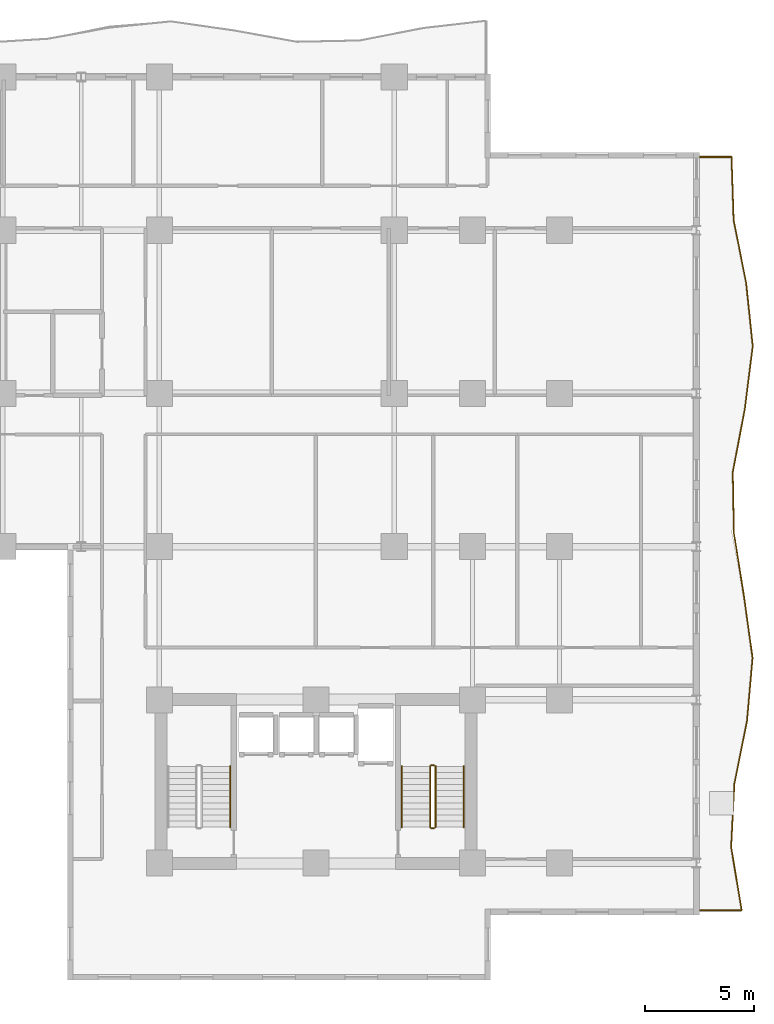
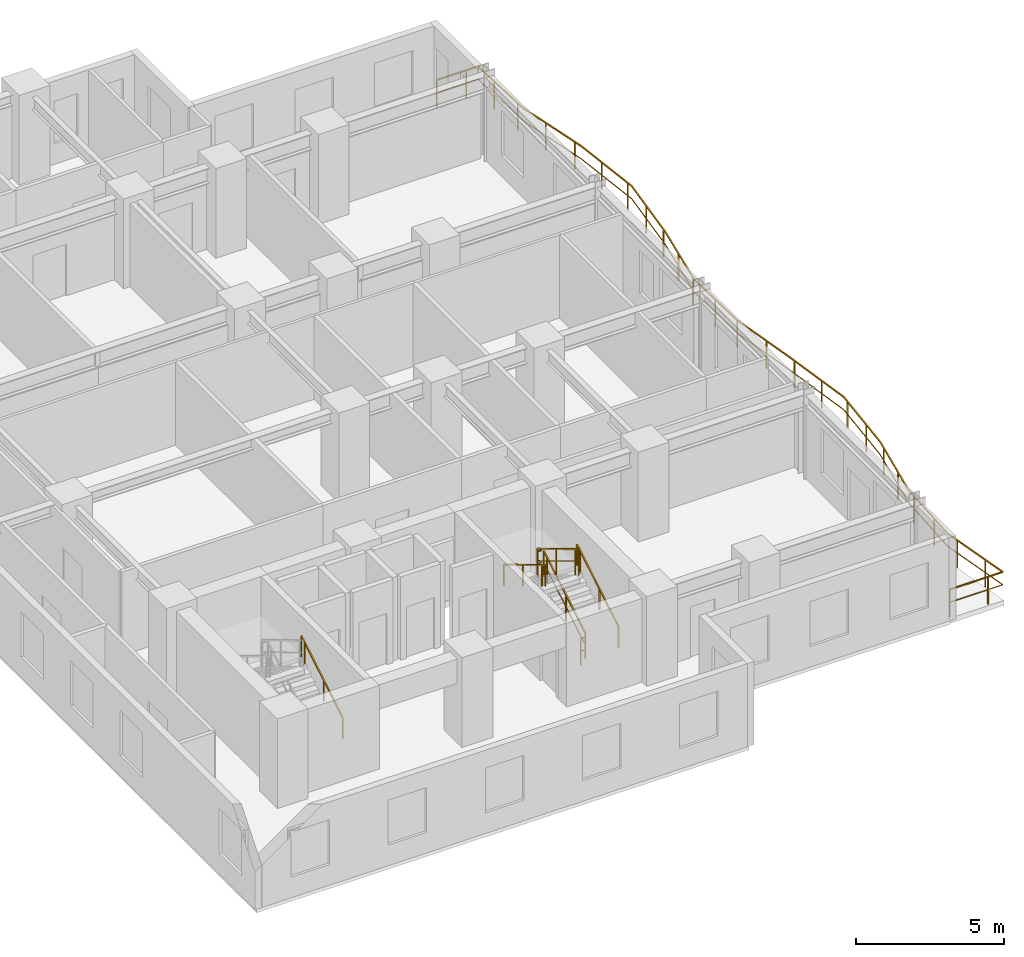
# One storey, part 10 of 11: 8 railings.
"""IFC4 building model written with IfcOpenShell, lengths in metres."""

from ifc_helpers import new_model, si_unit, direction, frame, origin, origin_2d, place, context, subcontext, project, spatial, rectangle, extrude, material, type_object, element, save


model = new_model("IFC4")

# Units and contexts
model_context = context("Model", 3, precision=1e-05, world=origin(), true_north=direction((0.0, 1.0)))
body_context = subcontext(model_context, "Body", "Model", "MODEL_VIEW")
ifc_project = project(units=[si_unit("LENGTHUNIT", "METRE"), si_unit("AREAUNIT", "SQUARE_METRE"), si_unit("VOLUMEUNIT", "CUBIC_METRE"), si_unit("PLANEANGLEUNIT", "RADIAN"), si_unit("MASSUNIT", "GRAM", prefix="KILO")], contexts=[model_context])

# Site, building, storey
site_placement = place(None, origin())
site = spatial("IfcSite", under=ifc_project, at=site_placement, CompositionType="ELEMENT")
building_placement = place(site_placement, origin())
building = spatial("IfcBuilding", under=site, at=building_placement, Name="Kaliganga Portal Commons", CompositionType="ELEMENT")
storey_placement = place(building_placement, frame((0.0, 0.0, 115.60009765625)))
storey = spatial("IfcBuildingStorey", under=building, at=storey_placement, Name="L29", CompositionType="ELEMENT", Elevation=115.60009765625)

# Railings
ifc_material_1 = material(Name="Laminated Safety Glass and Stainless Steel 316", Category="steel")
railing_type_1 = type_object("IfcRailingType", Name="RLG-BAL-1150", PredefinedType="BALUSTRADE", material=ifc_material_1)
railing_1_placement = place(storey_placement, frame((60.7080078125, 4.879638671875, 0.0)))
element("IfcRailing", 1, at=railing_1_placement, inside=storey, type_object=railing_type_1, Name="Balcony Guardrail L29 balc_east", PredefinedType="BALUSTRADE", context=body_context, shape_type="SweptSolid", body=[
    extrude(rectangle(XDim=0.048095703125, YDim=0.048095703125, at=origin_2d()), frame((0.0, 0.0, 1.1259765625), z_axis=(0.999999993065, 0.000117771758, 0.0), x_axis=(-0.000117771758, 0.999999993065, 0.0)), (0.0, 0.0, 1.0), 2.072998046875),
    extrude(rectangle(XDim=0.028076171875, YDim=0.028076171875, at=origin_2d()), frame((0.0, 0.0, 0.597900390625), z_axis=(0.999999993065, 0.000117771758, 0.0), x_axis=(-0.000117771758, 0.999999993065, 0.0)), (0.0, 0.0, 1.0), 2.072998046875),
    extrude(rectangle(XDim=0.048095703125, YDim=0.048095703125, at=origin_2d()), frame((2.072998046875, 0.000244140625, 1.1259765625), z_axis=(-0.164250862083, 0.986418599939, 0.0), x_axis=(-0.986418599939, -0.164250862083, 0.0)), (0.0, 0.0, 1.0), 2.940185546875),
    extrude(rectangle(XDim=0.028076171875, YDim=0.028076171875, at=origin_2d()), frame((2.072998046875, 0.000244140625, 0.597900390625), z_axis=(-0.164250862083, 0.986418599939, 0.0), x_axis=(-0.986418599939, -0.164250862083, 0.0)), (0.0, 0.0, 1.0), 2.940185546875),
    extrude(rectangle(XDim=0.048095703125, YDim=0.048095703125, at=origin_2d()), frame((1.590087890625, 2.900390625, 1.1259765625), z_axis=(0.050281493622, 0.998735085695, 0.0), x_axis=(-0.998735085695, 0.050281493622, 0.0)), (0.0, 0.0, 1.0), 2.903564453125),
    extrude(rectangle(XDim=0.028076171875, YDim=0.028076171875, at=origin_2d()), frame((1.590087890625, 2.900390625, 0.597900390625), z_axis=(0.050281493622, 0.998735085695, 0.0), x_axis=(-0.998735085695, 0.050281493622, 0.0)), (0.0, 0.0, 1.0), 2.903564453125),
    extrude(rectangle(XDim=0.048095703125, YDim=0.048095703125, at=origin_2d()), frame((1.736083984375, 5.80029296875, 1.1259765625), z_axis=(0.196862129019, 0.980431181755, 0.0), x_axis=(-0.980431181755, 0.196862129019, 0.0)), (0.0, 0.0, 1.0), 2.957763671875),
    extrude(rectangle(XDim=0.028076171875, YDim=0.028076171875, at=origin_2d()), frame((1.736083984375, 5.80029296875, 0.597900390625), z_axis=(0.196862129019, 0.980431181755, 0.0), x_axis=(-0.980431181755, 0.196862129019, 0.0)), (0.0, 0.0, 1.0), 2.957763671875),
    extrude(rectangle(XDim=0.048095703125, YDim=0.048095703125, at=origin_2d()), frame((2.318359375, 8.7001953125, 1.1259765625), z_axis=(0.08815328178, 0.996106921425, 0.0), x_axis=(-0.996106921425, 0.08815328178, 0.0)), (0.0, 0.0, 1.0), 2.91064453125),
    extrude(rectangle(XDim=0.028076171875, YDim=0.028076171875, at=origin_2d()), frame((2.318359375, 8.7001953125, 0.597900390625), z_axis=(0.08815328178, 0.996106921425, 0.0), x_axis=(-0.996106921425, 0.08815328178, 0.0)), (0.0, 0.0, 1.0), 2.91064453125),
    extrude(rectangle(XDim=0.048095703125, YDim=0.048095703125, at=origin_2d()), frame((2.574951171875, 11.599609375, 1.1259765625), z_axis=(-0.138245485222, 0.990397993645, 0.0), x_axis=(-0.990397993645, -0.138245485222, 0.0)), (0.0, 0.0, 1.0), 2.927978515625),
    extrude(rectangle(XDim=0.028076171875, YDim=0.028076171875, at=origin_2d()), frame((2.574951171875, 11.599609375, 0.597900390625), z_axis=(-0.138245485222, 0.990397993645, 0.0), x_axis=(-0.990397993645, -0.138245485222, 0.0)), (0.0, 0.0, 1.0), 2.927978515625),
    extrude(rectangle(XDim=0.048095703125, YDim=0.048095703125, at=origin_2d()), frame((2.170166015625, 14.49951171875, 1.1259765625), z_axis=(-0.158520410639, 0.987355700551, 0.0), x_axis=(-0.987355700551, -0.158520410639, 0.0)), (0.0, 0.0, 1.0), 2.85693359375),
    extrude(rectangle(XDim=0.028076171875, YDim=0.028076171875, at=origin_2d()), frame((2.170166015625, 14.49951171875, 0.597900390625), z_axis=(-0.158520410639, 0.987355700551, 0.0), x_axis=(-0.987355700551, -0.158520410639, 0.0)), (0.0, 0.0, 1.0), 2.85693359375),
    extrude(rectangle(XDim=0.048095703125, YDim=0.048095703125, at=origin_2d()), frame((1.71728515625, 17.3203125, 1.1259765625), z_axis=(-0.018782938097, 0.999823585057, 0.0), x_axis=(-0.999823585057, -0.018782938097, 0.0)), (0.0, 0.0, 1.0), 2.820556640625),
    extrude(rectangle(XDim=0.028076171875, YDim=0.028076171875, at=origin_2d()), frame((1.71728515625, 17.3203125, 0.597900390625), z_axis=(-0.018782938097, 0.999823585057, 0.0), x_axis=(-0.999823585057, -0.018782938097, 0.0)), (0.0, 0.0, 1.0), 2.820556640625),
    extrude(rectangle(XDim=0.048095703125, YDim=0.048095703125, at=origin_2d()), frame((1.664306640625, 20.140380859375, 1.1259765625), z_axis=(0.18728308531, 0.982305983875, 0.0), x_axis=(-0.982305983875, 0.18728308531, 0.0)), (0.0, 0.0, 1.0), 2.95263671875),
    extrude(rectangle(XDim=0.028076171875, YDim=0.028076171875, at=origin_2d()), frame((1.664306640625, 20.140380859375, 0.597900390625), z_axis=(0.18728308531, 0.982305983875, 0.0), x_axis=(-0.982305983875, 0.18728308531, 0.0)), (0.0, 0.0, 1.0), 2.95263671875),
    extrude(rectangle(XDim=0.048095703125, YDim=0.048095703125, at=origin_2d()), frame((2.21728515625, 23.040771484375, 1.1259765625), z_axis=(0.125206592581, 0.99213069158, 0.0), x_axis=(-0.99213069158, 0.125206592581, 0.0)), (0.0, 0.0, 1.0), 2.9228515625),
    extrude(rectangle(XDim=0.028076171875, YDim=0.028076171875, at=origin_2d()), frame((2.21728515625, 23.040771484375, 0.597900390625), z_axis=(0.125206592581, 0.99213069158, 0.0), x_axis=(-0.99213069158, 0.125206592581, 0.0)), (0.0, 0.0, 1.0), 2.9228515625),
    extrude(rectangle(XDim=0.048095703125, YDim=0.048095703125, at=origin_2d()), frame((2.583251953125, 25.940673828125, 1.1259765625), z_axis=(-0.103581923276, 0.994620925363, 0.0), x_axis=(-0.994620925363, -0.103581923276, 0.0)), (0.0, 0.0, 1.0), 2.91552734375),
    extrude(rectangle(XDim=0.028076171875, YDim=0.028076171875, at=origin_2d()), frame((2.583251953125, 25.940673828125, 0.597900390625), z_axis=(-0.103581923276, 0.994620925363, 0.0), x_axis=(-0.994620925363, -0.103581923276, 0.0)), (0.0, 0.0, 1.0), 2.91552734375),
    extrude(rectangle(XDim=0.048095703125, YDim=0.048095703125, at=origin_2d()), frame((2.28125, 28.840576171875, 1.1259765625), z_axis=(-0.195036222129, 0.980796039989, 0.0), x_axis=(-0.980796039989, -0.195036222129, 0.0)), (0.0, 0.0, 1.0), 2.956787109375),
    extrude(rectangle(XDim=0.028076171875, YDim=0.028076171875, at=origin_2d()), frame((2.28125, 28.840576171875, 0.597900390625), z_axis=(-0.195036222129, 0.980796039989, 0.0), x_axis=(-0.980796039989, -0.195036222129, 0.0)), (0.0, 0.0, 1.0), 2.956787109375),
    extrude(rectangle(XDim=0.048095703125, YDim=0.048095703125, at=origin_2d()), frame((1.70458984375, 31.740478515625, 1.1259765625), z_axis=(-0.033740670081, 0.999430621495, 0.0), x_axis=(-0.999430621495, -0.033740670081, 0.0)), (0.0, 0.0, 1.0), 2.901611328125),
    extrude(rectangle(XDim=0.028076171875, YDim=0.028076171875, at=origin_2d()), frame((1.70458984375, 31.740478515625, 0.597900390625), z_axis=(-0.033740670081, 0.999430621495, 0.0), x_axis=(-0.999430621495, -0.033740670081, 0.0)), (0.0, 0.0, 1.0), 2.901611328125),
    extrude(rectangle(XDim=0.048095703125, YDim=0.048095703125, at=origin_2d()), frame((1.606689453125, 34.640380859375, 1.1259765625), z_axis=(-0.999999953821, 0.000303905168, 0.0), x_axis=(-0.000303905168, -0.999999953821, 0.0)), (0.0, 0.0, 1.0), 1.606689453125),
    extrude(rectangle(XDim=0.028076171875, YDim=0.028076171875, at=origin_2d()), frame((1.606689453125, 34.640380859375, 0.597900390625), z_axis=(-0.999999953821, 0.000303905168, 0.0), x_axis=(-0.000303905168, -0.999999953821, 0.0)), (0.0, 0.0, 1.0), 1.606689453125),
    extrude(rectangle(XDim=0.0419921875, YDim=0.0419921875, at=origin_2d()), origin(), (0.0, 0.0, 1.0), 1.101806640625),
    extrude(rectangle(XDim=0.0419921875, YDim=0.0419921875, at=origin_2d()), frame((1.5, 0.000244140625, 0.0)), (0.0, 0.0, 1.0), 1.101806640625),
    extrude(rectangle(XDim=0.0419921875, YDim=0.0419921875, at=origin_2d()), frame((1.920654296875, 0.91455078125, 0.0)), (0.0, 0.0, 1.0), 1.101806640625),
    extrude(rectangle(XDim=0.0419921875, YDim=0.0419921875, at=origin_2d()), frame((1.67431640625, 2.394287109375, 0.0)), (0.0, 0.0, 1.0), 1.101806640625),
    extrude(rectangle(XDim=0.0419921875, YDim=0.0419921875, at=origin_2d()), frame((1.6396484375, 3.885986328125, 0.0)), (0.0, 0.0, 1.0), 1.101806640625),
    extrude(rectangle(XDim=0.0419921875, YDim=0.0419921875, at=origin_2d()), frame((1.715087890625, 5.38427734375, 0.0)), (0.0, 0.0, 1.0), 1.101806640625),
    extrude(rectangle(XDim=0.0419921875, YDim=0.0419921875, at=origin_2d()), frame((1.949462890625, 6.862548828125, 0.0)), (0.0, 0.0, 1.0), 1.101806640625),
    extrude(rectangle(XDim=0.0419921875, YDim=0.0419921875, at=origin_2d()), frame((2.24462890625, 8.3330078125, 0.0)), (0.0, 0.0, 1.0), 1.101806640625),
    extrude(rectangle(XDim=0.0419921875, YDim=0.0419921875, at=origin_2d()), frame((2.41748046875, 9.8212890625, 0.0)), (0.0, 0.0, 1.0), 1.101806640625),
    extrude(rectangle(XDim=0.0419921875, YDim=0.0419921875, at=origin_2d()), frame((2.5498046875, 11.3154296875, 0.0)), (0.0, 0.0, 1.0), 1.101806640625),
    extrude(rectangle(XDim=0.0419921875, YDim=0.0419921875, at=origin_2d()), frame((2.406982421875, 12.802734375, 0.0)), (0.0, 0.0, 1.0), 1.101806640625),
    extrude(rectangle(XDim=0.0419921875, YDim=0.0419921875, at=origin_2d()), frame((2.19970703125, 14.288330078125, 0.0)), (0.0, 0.0, 1.0), 1.101806640625),
    extrude(rectangle(XDim=0.0419921875, YDim=0.0419921875, at=origin_2d()), frame((1.966064453125, 15.77001953125, 0.0)), (0.0, 0.0, 1.0), 1.101806640625),
    extrude(rectangle(XDim=0.0419921875, YDim=0.0419921875, at=origin_2d()), frame((1.71728515625, 17.3203125, 0.0)), (0.0, 0.0, 1.0), 1.101806640625),
    extrude(rectangle(XDim=0.0419921875, YDim=0.0419921875, at=origin_2d()), frame((1.6904296875, 18.75, 0.0)), (0.0, 0.0, 1.0), 1.101806640625),
    extrude(rectangle(XDim=0.0419921875, YDim=0.0419921875, at=origin_2d()), frame((1.684814453125, 20.247802734375, 0.0)), (0.0, 0.0, 1.0), 1.101806640625),
    extrude(rectangle(XDim=0.0419921875, YDim=0.0419921875, at=origin_2d()), frame((1.9658203125, 21.72119140625, 0.0)), (0.0, 0.0, 1.0), 1.101806640625),
    extrude(rectangle(XDim=0.0419921875, YDim=0.0419921875, at=origin_2d()), frame((2.23681640625, 23.1962890625, 0.0)), (0.0, 0.0, 1.0), 1.101806640625),
    extrude(rectangle(XDim=0.0419921875, YDim=0.0419921875, at=origin_2d()), frame((2.4248046875, 24.684326171875, 0.0)), (0.0, 0.0, 1.0), 1.101806640625),
    extrude(rectangle(XDim=0.0419921875, YDim=0.0419921875, at=origin_2d()), frame((2.55908203125, 26.173095703125, 0.0)), (0.0, 0.0, 1.0), 1.101806640625),
    extrude(rectangle(XDim=0.0419921875, YDim=0.0419921875, at=origin_2d()), frame((2.403564453125, 27.6650390625, 0.0)), (0.0, 0.0, 1.0), 1.101806640625),
    extrude(rectangle(XDim=0.0419921875, YDim=0.0419921875, at=origin_2d()), frame((2.21923828125, 29.152587890625, 0.0)), (0.0, 0.0, 1.0), 1.101806640625),
    extrude(rectangle(XDim=0.0419921875, YDim=0.0419921875, at=origin_2d()), frame((1.9267578125, 30.623779296875, 0.0)), (0.0, 0.0, 1.0), 1.101806640625),
    extrude(rectangle(XDim=0.0419921875, YDim=0.0419921875, at=origin_2d()), frame((1.6923828125, 32.101806640625, 0.0)), (0.0, 0.0, 1.0), 1.101806640625),
    extrude(rectangle(XDim=0.0419921875, YDim=0.0419921875, at=origin_2d()), frame((1.641845703125, 33.600830078125, 0.0)), (0.0, 0.0, 1.0), 1.101806640625),
    extrude(rectangle(XDim=0.0419921875, YDim=0.0419921875, at=origin_2d()), frame((1.146728515625, 34.640625, 0.0)), (0.0, 0.0, 1.0), 1.101806640625),
    extrude(rectangle(XDim=0.0419921875, YDim=0.0419921875, at=origin_2d()), frame((0.0, 34.640869140625, 0.0)), (0.0, 0.0, 1.0), 1.101806640625),
])
ifc_material_2 = material(Name="Galvanized Painted Steel Balustrade", Category="steel")
railing_type_2 = type_object("IfcRailingType", Name="RLG-STAIR-GRD", PredefinedType="GUARDRAIL", material=ifc_material_2)
railing_2_placement = place(storey_placement, frame((48.699951171875, 8.699951171875, 0.16796875)))
element("IfcRailing", 2, at=railing_2_placement, inside=storey, type_object=railing_type_2, Name="L29 ST-B2 stair guard 1", PredefinedType="GUARDRAIL", context=body_context, shape_type="SweptSolid", body=[
    extrude(rectangle(XDim=0.048095703125, YDim=0.048095703125, at=origin_2d()), frame((0.0, 0.0, 1.072021484375), z_axis=(0.0, 0.857242210791, 0.514913383045), x_axis=(-1.0, 0.0, 0.0)), (0.0, 0.0, 1.0), 3.266357421875),
    extrude(rectangle(XDim=0.028076171875, YDim=0.028076171875, at=origin_2d()), frame((0.0, 0.0, 0.572021484375), z_axis=(0.0, 0.857242210791, 0.514913383045), x_axis=(-1.0, 0.0, 0.0)), (0.0, 0.0, 1.0), 3.266357421875),
    extrude(rectangle(XDim=0.0419921875, YDim=0.0419921875, at=origin_2d()), origin(), (0.0, 0.0, 1.0), 1.052001953125),
    extrude(rectangle(XDim=0.0419921875, YDim=0.0419921875, at=origin_2d()), frame((0.0, 1.285888671875, 0.7724609375)), (0.0, 0.0, 1.0), 1.052001953125),
    extrude(rectangle(XDim=0.0419921875, YDim=0.0419921875, at=origin_2d()), frame((0.0, 2.57177734375, 1.544677734375)), (0.0, 0.0, 1.0), 1.052001953125),
    extrude(rectangle(XDim=0.0419921875, YDim=0.0419921875, at=origin_2d()), frame((0.0, 2.800048828125, 1.681884765625)), (0.0, 0.0, 1.0), 1.052001953125),
])
railing_3_placement = place(storey_placement, frame((48.64990234375, 11.550048828125, 1.849853515625)))
element("IfcRailing", 3, at=railing_3_placement, inside=storey, type_object=railing_type_2, Name="L29 ST-B2 stair guard 2", PredefinedType="GUARDRAIL", context=body_context, shape_type="SweptSolid", body=[
    extrude(rectangle(XDim=0.048095703125, YDim=0.048095703125, at=origin_2d()), frame((0.0, 0.0, 1.076171875), z_axis=(-1.0, 0.0, 0.0), x_axis=(0.0, -1.0, 0.0)), (0.0, 0.0, 1.0), 0.14990234375),
    extrude(rectangle(XDim=0.028076171875, YDim=0.028076171875, at=origin_2d()), frame((0.0, 0.0, 0.572021484375), z_axis=(-1.0, 0.0, 0.0), x_axis=(0.0, -1.0, 0.0)), (0.0, 0.0, 1.0), 0.14990234375),
    extrude(rectangle(XDim=0.0419921875, YDim=0.0419921875, at=origin_2d()), frame((-0.14990234375, 0.0, 0.0)), (0.0, 0.0, 1.0), 1.052001953125),
])
railing_4_placement = place(storey_placement, frame((48.449951171875, 11.5, 2.01806640625)))
element("IfcRailing", 4, at=railing_4_placement, inside=storey, type_object=railing_type_2, Name="L29 ST-B2 stair guard 3", PredefinedType="GUARDRAIL", context=body_context, shape_type="SweptSolid", body=[
    extrude(rectangle(XDim=0.048095703125, YDim=0.048095703125, at=origin_2d()), frame((0.0, 0.0, 1.072021484375), z_axis=(0.0, -0.857242210791, 0.514913383045), x_axis=(1.0, 0.0, 0.0)), (0.0, 0.0, 1.0), 3.266357421875),
    extrude(rectangle(XDim=0.028076171875, YDim=0.028076171875, at=origin_2d()), frame((0.0, 0.0, 0.572021484375), z_axis=(0.0, -0.857242210791, 0.514913383045), x_axis=(1.0, 0.0, 0.0)), (0.0, 0.0, 1.0), 3.266357421875),
    extrude(rectangle(XDim=0.0419921875, YDim=0.0419921875, at=origin_2d()), origin(), (0.0, 0.0, 1.0), 1.052001953125),
    extrude(rectangle(XDim=0.0419921875, YDim=0.0419921875, at=origin_2d()), frame((0.0, -1.285888671875, 0.7724609375)), (0.0, 0.0, 1.0), 1.052001953125),
    extrude(rectangle(XDim=0.0419921875, YDim=0.0419921875, at=origin_2d()), frame((0.0, -2.57177734375, 1.544677734375)), (0.0, 0.0, 1.0), 1.052001953125),
    extrude(rectangle(XDim=0.0419921875, YDim=0.0419921875, at=origin_2d()), frame((0.0, -2.800048828125, 1.681884765625)), (0.0, 0.0, 1.0), 1.052001953125),
])
railing_5_placement = place(storey_placement, frame((48.64990234375, 8.64990234375, 0.0)))
element("IfcRailing", 5, at=railing_5_placement, inside=storey, type_object=railing_type_2, Name="L29 ST-B2 stair guard 4", PredefinedType="GUARDRAIL", context=body_context, shape_type="SweptSolid", body=[
    extrude(rectangle(XDim=0.048095703125, YDim=0.048095703125, at=origin_2d()), frame((0.0, 0.0, 1.076171875), z_axis=(-1.0, 0.0, 0.0), x_axis=(0.0, -1.0, 0.0)), (0.0, 0.0, 1.0), 0.14990234375),
    extrude(rectangle(XDim=0.028076171875, YDim=0.028076171875, at=origin_2d()), frame((0.0, 0.0, 0.572021484375), z_axis=(-1.0, 0.0, 0.0), x_axis=(0.0, -1.0, 0.0)), (0.0, 0.0, 1.0), 0.14990234375),
    extrude(rectangle(XDim=0.0419921875, YDim=0.0419921875, at=origin_2d()), frame((-0.14990234375, 0.0, 0.0)), (0.0, 0.0, 1.0), 1.052001953125),
])
ifc_material_3 = material(Name="Brushed Stainless Steel 316", Category="steel")
railing_type_3 = type_object("IfcRailingType", Name="RLG-STAIR-HR", PredefinedType="HANDRAIL", material=ifc_material_3)
for number, where, name in (
    (6, (39.25, 8.699951171875, 0.16796875), "L29 ST-B1 stair handrail 1"),
    (7, (50.0, 8.699951171875, 0.16796875), "L29 ST-B2 stair handrail 1"),
):
    element("IfcRailing", number, at=place(storey_placement, frame(where)), inside=storey, type_object=railing_type_3, Name=name, PredefinedType="HANDRAIL", context=body_context, shape_type="SweptSolid", body=[
        extrude(rectangle(XDim=0.048095703125, YDim=0.048095703125, at=origin_2d()), frame((0.0, 0.0, 0.871826171875), z_axis=(0.0, 0.857242210791, 0.514913383045), x_axis=(-1.0, 0.0, 0.0)), (0.0, 0.0, 1.0), 3.266357421875),
        extrude(rectangle(XDim=0.0419921875, YDim=0.0419921875, at=origin_2d()), origin(), (0.0, 0.0, 1.0), 0.851806640625),
        extrude(rectangle(XDim=0.0419921875, YDim=0.0419921875, at=origin_2d()), frame((0.0, 1.285888671875, 0.7724609375)), (0.0, 0.0, 1.0), 0.851806640625),
        extrude(rectangle(XDim=0.0419921875, YDim=0.0419921875, at=origin_2d()), frame((0.0, 2.57177734375, 1.544677734375)), (0.0, 0.0, 1.0), 0.851806640625),
        extrude(rectangle(XDim=0.0419921875, YDim=0.0419921875, at=origin_2d()), frame((0.0, 2.800048828125, 1.681884765625)), (0.0, 0.0, 1.0), 0.851806640625),
    ])
railing_6_placement = place(storey_placement, frame((47.14990234375, 11.5, 2.01806640625)))
element("IfcRailing", 8, at=railing_6_placement, inside=storey, type_object=railing_type_3, Name="L29 ST-B2 stair handrail 2", PredefinedType="HANDRAIL", context=body_context, shape_type="SweptSolid", body=[
    extrude(rectangle(XDim=0.048095703125, YDim=0.048095703125, at=origin_2d()), frame((0.0, 0.0, 0.871826171875), z_axis=(0.0, -0.857242210791, 0.514913383045), x_axis=(1.0, 0.0, 0.0)), (0.0, 0.0, 1.0), 3.266357421875),
    extrude(rectangle(XDim=0.0419921875, YDim=0.0419921875, at=origin_2d()), origin(), (0.0, 0.0, 1.0), 0.851806640625),
    extrude(rectangle(XDim=0.0419921875, YDim=0.0419921875, at=origin_2d()), frame((0.0, -1.285888671875, 0.7724609375)), (0.0, 0.0, 1.0), 0.851806640625),
    extrude(rectangle(XDim=0.0419921875, YDim=0.0419921875, at=origin_2d()), frame((0.0, -2.57177734375, 1.544677734375)), (0.0, 0.0, 1.0), 0.851806640625),
    extrude(rectangle(XDim=0.0419921875, YDim=0.0419921875, at=origin_2d()), frame((0.0, -2.800048828125, 1.681884765625)), (0.0, 0.0, 1.0), 0.851806640625),
])

save(model, "model.ifc")
